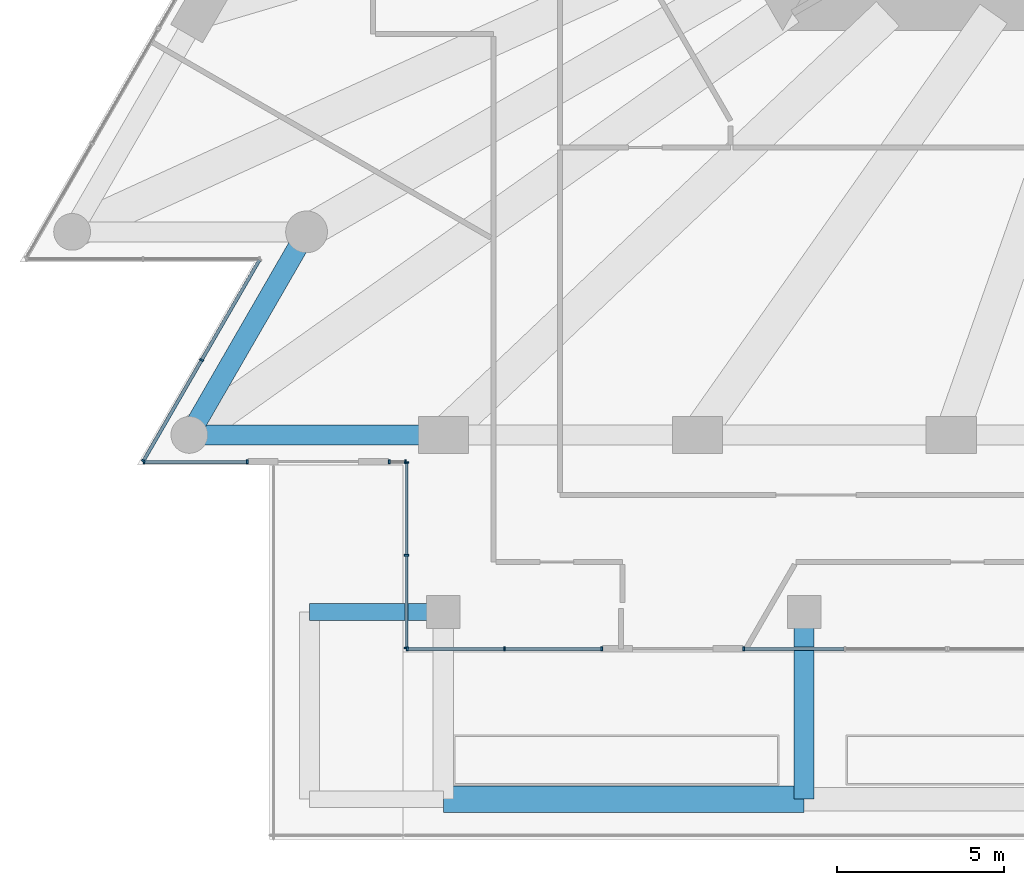
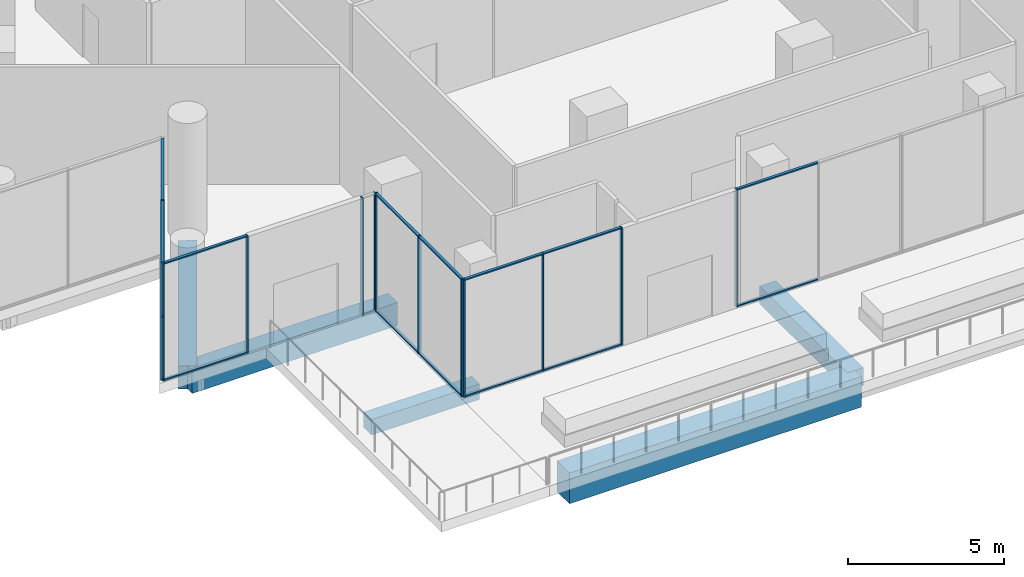
# One storey, part 2 of 32: 29 members, 5 beams, 6 elements without a shape of their own.
"""IFC4 building model written with IfcOpenShell, lengths in metres."""

from ifc_helpers import new_model, si_unit, direction, frame, origin, origin_2d, place, context, subcontext, project, spatial, rectangle, extrude, material, layer, layer_set, material_profile, profile_set, type_object, element, aggregate, save


model = new_model("IFC4")

# Units and contexts
model_context = context("Model", 3, precision=1e-05, world=origin(), true_north=direction((0.0, 1.0)))
body_context = subcontext(model_context, "Body", "Model", "MODEL_VIEW")
ifc_project = project(units=[si_unit("LENGTHUNIT", "METRE"), si_unit("AREAUNIT", "SQUARE_METRE"), si_unit("VOLUMEUNIT", "CUBIC_METRE"), si_unit("PLANEANGLEUNIT", "RADIAN"), si_unit("MASSUNIT", "GRAM", prefix="KILO")], contexts=[model_context])

# Site, building, storey
site_placement = place(None, origin())
site = spatial("IfcSite", under=ifc_project, at=site_placement, CompositionType="ELEMENT")
building_placement = place(site_placement, origin())
building = spatial("IfcBuilding", under=site, at=building_placement, Name="Triada Interchange Tower", CompositionType="ELEMENT")
storey_placement = place(building_placement, frame((0.0, 0.0, 25.300048828125)))
storey = spatial("IfcBuildingStorey", under=building, at=storey_placement, Name="L04", CompositionType="ELEMENT", Elevation=25.300048828125)

# Curtain wall, members
ifc_material_1 = material(Name="Aluminium framed glazing", Category="aluminium")
ifc_layer = layer(ifc_material_1, 0.199951171875)
ifc_layer_set = layer_set([ifc_layer], Name="Curtain wall Winter garden glazing")
curtain_wall_type = type_object("IfcCurtainWallType", Name="Curtain wall Winter garden glazing", PredefinedType="NOTDEFINED", material=ifc_layer_set)
curtain_wall_1_placement = place(storey_placement, origin())
curtain_wall_1 = element("IfcCurtainWall", 1, at=curtain_wall_1_placement, inside=storey, type_object=curtain_wall_type, Name="Winter garden glazing CW001 L04", PredefinedType="NOTDEFINED")
ifc_material_2 = material(Name="Aluminium", Category="aluminium")
ifc_material_profile_1 = material_profile(ifc_material_2, rectangle(XDim=0.1201171875, YDim=0.050048828125, at=origin_2d()), Name="Aluminium mullion")
ifc_profile_set_1 = profile_set([ifc_material_profile_1], Name="Aluminium")
member_type_1 = type_object("IfcMemberType", Name="Mullion Winter garden glazing 120x50", PredefinedType="MULLION", material=ifc_profile_set_1)
member_1_placement = place(storey_placement, frame((-23.875, -28.0, 0.0), z_axis=(0.0, 0.0, 1.0), x_axis=(0.0, 1.0, 0.0)))
member_1 = element("IfcMember", 2, at=member_1_placement, type_object=member_type_1, Name="CW001 mullion 1", PredefinedType="MULLION", context=body_context, shape_type="SweptSolid", body=[
    extrude(rectangle(XDim=0.1201171875, YDim=0.050048828125, at=origin_2d()), origin(), (0.0, 0.0, 1.0), 4.599853515625),
])
member_2_placement = place(storey_placement, frame((-20.966552734375, -28.0, 0.0), z_axis=(0.0, 0.0, 1.0), x_axis=(0.0, 1.0, 0.0)))
member_2 = element("IfcMember", 3, at=member_2_placement, type_object=member_type_1, Name="CW001 mullion 2", PredefinedType="MULLION", context=body_context, shape_type="SweptSolid", body=[
    extrude(rectangle(XDim=0.1201171875, YDim=0.050048828125, at=origin_2d()), origin(), (0.0, 0.0, 1.0), 4.599853515625),
])
member_3_placement = place(storey_placement, frame((-18.05810546875, -28.0, 0.0), z_axis=(0.0, 0.0, 1.0), x_axis=(0.0, 1.0, 0.0)))
member_3 = element("IfcMember", 4, at=member_3_placement, type_object=member_type_1, Name="CW001 mullion 3", PredefinedType="MULLION", context=body_context, shape_type="SweptSolid", body=[
    extrude(rectangle(XDim=0.1201171875, YDim=0.050048828125, at=origin_2d()), origin(), (0.0, 0.0, 1.0), 4.599853515625),
])

# Curtain wall, member
curtain_wall_2_placement = place(storey_placement, origin())
curtain_wall_2 = element("IfcCurtainWall", 5, at=curtain_wall_2_placement, inside=storey, type_object=curtain_wall_type, Name="Winter garden glazing CW002 L04", PredefinedType="NOTDEFINED")
member_4_placement = place(storey_placement, frame((-13.80810546875, -28.0, 0.0), z_axis=(0.0, 0.0, 1.0), x_axis=(0.0, 1.0, 0.0)))
member_4 = element("IfcMember", 6, at=member_4_placement, type_object=member_type_1, Name="CW002 mullion 1", PredefinedType="MULLION", context=body_context, shape_type="SweptSolid", body=[
    extrude(rectangle(XDim=0.1201171875, YDim=0.050048828125, at=origin_2d()), origin(), (0.0, 0.0, 1.0), 4.599853515625),
])

# Curtain wall, members
curtain_wall_3_placement = place(storey_placement, origin())
curtain_wall_3 = element("IfcCurtainWall", 7, at=curtain_wall_3_placement, inside=storey, type_object=curtain_wall_type, Name="Winter garden glazing CW031 L04", PredefinedType="NOTDEFINED")
member_5_placement = place(storey_placement, frame((-30.029541015625, -19.362548828125, 0.0), z_axis=(0.0, 0.0, 1.0), x_axis=(0.866050272896, -0.499956922962, 0.0)))
member_5 = element("IfcMember", 8, at=member_5_placement, type_object=member_type_1, Name="CW031 mullion 2", PredefinedType="MULLION", context=body_context, shape_type="SweptSolid", body=[
    extrude(rectangle(XDim=0.1201171875, YDim=0.050048828125, at=origin_2d()), origin(), (0.0, 0.0, 1.0), 4.599853515625),
])
member_6_placement = place(storey_placement, frame((-31.7705078125, -22.37841796875, 0.0), z_axis=(0.0, 0.0, 1.0), x_axis=(0.866050272896, -0.499956922962, 0.0)))
member_6 = element("IfcMember", 9, at=member_6_placement, type_object=member_type_1, Name="CW031 mullion 3", PredefinedType="MULLION", context=body_context, shape_type="SweptSolid", body=[
    extrude(rectangle(XDim=0.1201171875, YDim=0.050048828125, at=origin_2d()), origin(), (0.0, 0.0, 1.0), 4.599853515625),
])

curtain_wall_4_placement = place(storey_placement, origin())
curtain_wall_4 = element("IfcCurtainWall", 10, at=curtain_wall_4_placement, inside=storey, type_object=curtain_wall_type, Name="Winter garden glazing CW032 L04", PredefinedType="NOTDEFINED")
member_7_placement = place(storey_placement, frame((-31.758056640625, -22.39990234375, 0.0), z_axis=(0.0, 0.0, 1.0), x_axis=(0.0, 1.0, 0.0)))
member_7 = element("IfcMember", 11, at=member_7_placement, type_object=member_type_1, Name="CW032 mullion 1", PredefinedType="MULLION", context=body_context, shape_type="SweptSolid", body=[
    extrude(rectangle(XDim=0.1201171875, YDim=0.050048828125, at=origin_2d()), origin(), (0.0, 0.0, 1.0), 4.599853515625),
])
member_8_placement = place(storey_placement, frame((-28.666015625, -22.39990234375, 0.0), z_axis=(0.0, 0.0, 1.0), x_axis=(0.0, 1.0, 0.0)))
member_8 = element("IfcMember", 12, at=member_8_placement, type_object=member_type_1, Name="CW032 mullion 2", PredefinedType="MULLION", context=body_context, shape_type="SweptSolid", body=[
    extrude(rectangle(XDim=0.1201171875, YDim=0.050048828125, at=origin_2d()), origin(), (0.0, 0.0, 1.0), 4.599853515625),
])

curtain_wall_5_placement = place(storey_placement, origin())
curtain_wall_5 = element("IfcCurtainWall", 13, at=curtain_wall_5_placement, inside=storey, type_object=curtain_wall_type, Name="Winter garden glazing CW033 L04", PredefinedType="NOTDEFINED")
member_9_placement = place(storey_placement, frame((-24.416015625, -22.39990234375, 0.0), z_axis=(0.0, 0.0, 1.0), x_axis=(0.0, 1.0, 0.0)))
member_9 = element("IfcMember", 14, at=member_9_placement, type_object=member_type_1, Name="CW033 mullion 1", PredefinedType="MULLION", context=body_context, shape_type="SweptSolid", body=[
    extrude(rectangle(XDim=0.1201171875, YDim=0.050048828125, at=origin_2d()), origin(), (0.0, 0.0, 1.0), 4.599853515625),
])
member_10_placement = place(storey_placement, frame((-23.925048828125, -22.39990234375, 0.0), z_axis=(0.0, 0.0, 1.0), x_axis=(0.0, 1.0, 0.0)))
member_10 = element("IfcMember", 15, at=member_10_placement, type_object=member_type_1, Name="CW033 mullion 2", PredefinedType="MULLION", context=body_context, shape_type="SweptSolid", body=[
    extrude(rectangle(XDim=0.1201171875, YDim=0.050048828125, at=origin_2d()), origin(), (0.0, 0.0, 1.0), 4.599853515625),
])
aggregate(curtain_wall_5, [member_9, member_10])

curtain_wall_6_placement = place(storey_placement, origin())
curtain_wall_6 = element("IfcCurtainWall", 16, at=curtain_wall_6_placement, inside=storey, type_object=curtain_wall_type, Name="Winter garden glazing CW034 L04", PredefinedType="NOTDEFINED")
member_11_placement = place(storey_placement, frame((-23.89990234375, -22.425048828125, 0.0), z_axis=(0.0, 0.0, 1.0), x_axis=(1.0, 0.0, 0.0)))
member_11 = element("IfcMember", 17, at=member_11_placement, type_object=member_type_1, Name="CW034 mullion 1", PredefinedType="MULLION", context=body_context, shape_type="SweptSolid", body=[
    extrude(rectangle(XDim=0.1201171875, YDim=0.050048828125, at=origin_2d()), origin(), (0.0, 0.0, 1.0), 4.599853515625),
])
member_12_placement = place(storey_placement, frame((-23.89990234375, -25.199951171875, 0.0), z_axis=(0.0, 0.0, 1.0), x_axis=(1.0, 0.0, 0.0)))
member_12 = element("IfcMember", 18, at=member_12_placement, type_object=member_type_1, Name="CW034 mullion 2", PredefinedType="MULLION", context=body_context, shape_type="SweptSolid", body=[
    extrude(rectangle(XDim=0.1201171875, YDim=0.050048828125, at=origin_2d()), origin(), (0.0, 0.0, 1.0), 4.599853515625),
])
member_13_placement = place(storey_placement, frame((-23.89990234375, -27.97509765625, 0.0), z_axis=(0.0, 0.0, 1.0), x_axis=(1.0, 0.0, 0.0)))
member_13 = element("IfcMember", 19, at=member_13_placement, type_object=member_type_1, Name="CW034 mullion 3", PredefinedType="MULLION", context=body_context, shape_type="SweptSolid", body=[
    extrude(rectangle(XDim=0.1201171875, YDim=0.050048828125, at=origin_2d()), origin(), (0.0, 0.0, 1.0), 4.599853515625),
])

# Beams
ifc_material_3 = material(Name="Concrete C50/60", Category="concrete")
ifc_material_profile_2 = material_profile(ifc_material_3, rectangle(XDim=0.60009765625, YDim=0.89990234375, at=origin_2d()), Name="RC 600x900")
ifc_profile_set_2 = profile_set([ifc_material_profile_2], Name="Concrete C50/60")
beam_type_1 = type_object("IfcBeamType", Name="Spandrel beam P RC 600x900", PredefinedType="BEAM", material=ifc_profile_set_2)
beam_1_placement = place(storey_placement, frame((-26.889892578125, -15.52490234375, -0.85009765625), z_axis=(-0.499953429515, -0.866052289597, 0.0), x_axis=(0.866052289597, -0.499953429515, 0.0)))
element("IfcBeam", 20, at=beam_1_placement, inside=storey, type_object=beam_type_1, Name="Spandrel beam EP10 L04", PredefinedType="BEAM", context=body_context, shape_type="SweptSolid", body=[
    extrude(rectangle(XDim=0.60009765625, YDim=0.89990234375, at=origin_2d()), origin(), (0.0, 0.0, 1.0), 7.014892578125),
])
beam_2_placement = place(storey_placement, frame((-30.39697265625, -21.60009765625, -0.85009765625), z_axis=(1.0, 0.0, 0.0), x_axis=(0.0, 1.0, 0.0)))
element("IfcBeam", 21, at=beam_2_placement, inside=storey, type_object=beam_type_1, Name="Spandrel beam EP11 L04", PredefinedType="BEAM", context=body_context, shape_type="SweptSolid", body=[
    extrude(rectangle(XDim=0.60009765625, YDim=0.89990234375, at=origin_2d()), origin(), (0.0, 0.0, 1.0), 7.598876953125),
])
ifc_material_4 = material(Name="Concrete C40/50", Category="concrete")
ifc_material_profile_3 = material_profile(ifc_material_4, rectangle(XDim=0.5, YDim=0.60009765625, at=origin_2d()), Name="RC 500x600")
ifc_profile_set_3 = profile_set([ifc_material_profile_3], Name="Concrete C40/50")
beam_type_2 = type_object("IfcBeamType", Name="Terrace beam RC 500x600", PredefinedType="BEAM", material=ifc_profile_set_3)
beam_3_placement = place(storey_placement, frame((-26.800048828125, -26.89990234375, -0.699951171875), z_axis=(1.0, 0.0, 0.0), x_axis=(0.0, 1.0, 0.0)))
element("IfcBeam", 22, at=beam_3_placement, inside=storey, type_object=beam_type_2, Name="Terrace beam TE02 L04", PredefinedType="BEAM", context=body_context, shape_type="SweptSolid", body=[
    extrude(rectangle(XDim=0.5, YDim=0.60009765625, at=origin_2d()), origin(), (0.0, 0.0, 1.0), 4.0),
])
ifc_material_profile_4 = material_profile(ifc_material_4, rectangle(XDim=0.60009765625, YDim=0.699951171875, at=origin_2d()), Name="RC 600x700")
ifc_profile_set_4 = profile_set([ifc_material_profile_4], Name="Concrete C40/50")
beam_type_3 = type_object("IfcBeamType", Name="Terrace beam RC 600x700", PredefinedType="BEAM", material=ifc_profile_set_4)
beam_4_placement = place(storey_placement, frame((-12.0, -32.5, -0.75), z_axis=(0.0, 1.0, 0.0), x_axis=(-1.0, 0.0, 0.0)))
element("IfcBeam", 23, at=beam_4_placement, inside=storey, type_object=beam_type_3, Name="Terrace beam TE08 L04", PredefinedType="BEAM", context=body_context, shape_type="SweptSolid", body=[
    extrude(rectangle(XDim=0.60009765625, YDim=0.699951171875, at=origin_2d()), origin(), (0.0, 0.0, 1.0), 5.60009765625),
])
ifc_material_profile_5 = material_profile(ifc_material_4, rectangle(XDim=0.800048828125, YDim=1.199951171875, at=origin_2d()), Name="RC 800x1200")
ifc_profile_set_5 = profile_set([ifc_material_profile_5], Name="Concrete C40/50")
beam_type_4 = type_object("IfcBeamType", Name="Terrace beam RC 800x1200", PredefinedType="BEAM", material=ifc_profile_set_5)
beam_5_placement = place(storey_placement, frame((-22.800048828125, -32.5, -1.0), z_axis=(1.0, 0.0, 0.0), x_axis=(0.0, 1.0, 0.0)))
element("IfcBeam", 24, at=beam_5_placement, inside=storey, type_object=beam_type_4, Name="Terrace beam TE13 L04", PredefinedType="BEAM", context=body_context, shape_type="SweptSolid", body=[
    extrude(rectangle(XDim=0.800048828125, YDim=1.199951171875, at=origin_2d()), origin(), (0.0, 0.0, 1.0), 10.800048828125),
])

# Member
ifc_material_profile_6 = material_profile(ifc_material_2, rectangle(XDim=0.10009765625, YDim=0.050048828125, at=origin_2d()), Name="Aluminium transom")
ifc_profile_set_6 = profile_set([ifc_material_profile_6], Name="Aluminium")
member_type_2 = type_object("IfcMemberType", Name="Transom Winter garden glazing 100x50", PredefinedType="USERDEFINED", material=ifc_profile_set_6)
member_14_placement = place(storey_placement, frame((-23.85009765625, -28.0, 0.02490234375), z_axis=(1.0, 0.0, 0.0), x_axis=(0.0, 1.0, 0.0)))
member_14 = element("IfcMember", 25, at=member_14_placement, type_object=member_type_2, Name="CW001 transom 1.1", ObjectType="TRANSOM", PredefinedType="USERDEFINED", context=body_context, shape_type="SweptSolid", body=[
    extrude(rectangle(XDim=0.10009765625, YDim=0.050048828125, at=origin_2d()), origin(), (0.0, 0.0, 1.0), 2.858642578125),
])

member_15_placement = place(storey_placement, frame((-23.85009765625, -28.0, 4.574951171875), z_axis=(1.0, 0.0, 0.0), x_axis=(0.0, 1.0, 0.0)))
member_15 = element("IfcMember", 26, at=member_15_placement, type_object=member_type_2, Name="CW001 transom 1.2", ObjectType="TRANSOM", PredefinedType="USERDEFINED", context=body_context, shape_type="SweptSolid", body=[
    extrude(rectangle(XDim=0.10009765625, YDim=0.050048828125, at=origin_2d()), origin(), (0.0, 0.0, 1.0), 2.858642578125),
])

member_16_placement = place(storey_placement, frame((-20.94140625, -28.0, 0.02490234375), z_axis=(1.0, 0.0, 0.0), x_axis=(0.0, 1.0, 0.0)))
member_16 = element("IfcMember", 27, at=member_16_placement, type_object=member_type_2, Name="CW001 transom 2.1", ObjectType="TRANSOM", PredefinedType="USERDEFINED", context=body_context, shape_type="SweptSolid", body=[
    extrude(rectangle(XDim=0.10009765625, YDim=0.050048828125, at=origin_2d()), origin(), (0.0, 0.0, 1.0), 2.8583984375),
])

member_17_placement = place(storey_placement, frame((-20.94140625, -28.0, 4.574951171875), z_axis=(1.0, 0.0, 0.0), x_axis=(0.0, 1.0, 0.0)))
member_17 = element("IfcMember", 28, at=member_17_placement, type_object=member_type_2, Name="CW001 transom 2.2", ObjectType="TRANSOM", PredefinedType="USERDEFINED", context=body_context, shape_type="SweptSolid", body=[
    extrude(rectangle(XDim=0.10009765625, YDim=0.050048828125, at=origin_2d()), origin(), (0.0, 0.0, 1.0), 2.8583984375),
])

aggregate(curtain_wall_1, [member_1, member_2, member_3, member_14, member_15, member_16, member_17])

member_18_placement = place(storey_placement, frame((-13.782958984375, -28.0, 0.02490234375), z_axis=(1.0, 0.0, 0.0), x_axis=(0.0, 1.0, 0.0)))
member_18 = element("IfcMember", 29, at=member_18_placement, type_object=member_type_2, Name="CW002 transom 1.1", ObjectType="TRANSOM", PredefinedType="USERDEFINED", context=body_context, shape_type="SweptSolid", body=[
    extrude(rectangle(XDim=0.10009765625, YDim=0.050048828125, at=origin_2d()), origin(), (0.0, 0.0, 1.0), 2.97802734375),
])

member_19_placement = place(storey_placement, frame((-13.782958984375, -28.0, 4.574951171875), z_axis=(1.0, 0.0, 0.0), x_axis=(0.0, 1.0, 0.0)))
member_19 = element("IfcMember", 30, at=member_19_placement, type_object=member_type_2, Name="CW002 transom 1.2", ObjectType="TRANSOM", PredefinedType="USERDEFINED", context=body_context, shape_type="SweptSolid", body=[
    extrude(rectangle(XDim=0.10009765625, YDim=0.050048828125, at=origin_2d()), origin(), (0.0, 0.0, 1.0), 2.97802734375),
])

aggregate(curtain_wall_2, [member_4, member_18, member_19])

member_20_placement = place(storey_placement, frame((-28.301025390625, -16.368408203125, 0.02490234375), z_axis=(-0.499987221389, -0.866032781393, 0.0), x_axis=(0.866032781393, -0.499987221389, 0.0)))
member_20 = element("IfcMember", 31, at=member_20_placement, type_object=member_type_2, Name="CW031 transom 1.1", ObjectType="TRANSOM", PredefinedType="USERDEFINED", context=body_context, shape_type="SweptSolid", body=[
    extrude(rectangle(XDim=0.10009765625, YDim=0.050048828125, at=origin_2d()), origin(), (0.0, 0.0, 1.0), 3.43212890625),
])

member_21_placement = place(storey_placement, frame((-28.301025390625, -16.368408203125, 4.574951171875), z_axis=(-0.499987221389, -0.866032781393, 0.0), x_axis=(0.866032781393, -0.499987221389, 0.0)))
member_21 = element("IfcMember", 32, at=member_21_placement, type_object=member_type_2, Name="CW031 transom 1.2", ObjectType="TRANSOM", PredefinedType="USERDEFINED", context=body_context, shape_type="SweptSolid", body=[
    extrude(rectangle(XDim=0.10009765625, YDim=0.050048828125, at=origin_2d()), origin(), (0.0, 0.0, 1.0), 3.43212890625),
])

member_22_placement = place(storey_placement, frame((-30.0419921875, -19.384033203125, 0.02490234375), z_axis=(-0.499956422411, -0.866050561855, 0.0), x_axis=(0.866050561855, -0.499956422411, 0.0)))
member_22 = element("IfcMember", 33, at=member_22_placement, type_object=member_type_2, Name="CW031 transom 2.1", ObjectType="TRANSOM", PredefinedType="USERDEFINED", context=body_context, shape_type="SweptSolid", body=[
    extrude(rectangle(XDim=0.10009765625, YDim=0.050048828125, at=origin_2d()), origin(), (0.0, 0.0, 1.0), 3.432373046875),
])

member_23_placement = place(storey_placement, frame((-30.0419921875, -19.384033203125, 4.574951171875), z_axis=(-0.499956422411, -0.866050561855, 0.0), x_axis=(0.866050561855, -0.499956422411, 0.0)))
member_23 = element("IfcMember", 34, at=member_23_placement, type_object=member_type_2, Name="CW031 transom 2.2", ObjectType="TRANSOM", PredefinedType="USERDEFINED", context=body_context, shape_type="SweptSolid", body=[
    extrude(rectangle(XDim=0.10009765625, YDim=0.050048828125, at=origin_2d()), origin(), (0.0, 0.0, 1.0), 3.432373046875),
])

aggregate(curtain_wall_3, [member_5, member_6, member_20, member_21, member_22, member_23])

member_24_placement = place(storey_placement, frame((-31.73291015625, -22.39990234375, 0.02490234375), z_axis=(1.0, 0.0, 0.0), x_axis=(0.0, 1.0, 0.0)))
member_24 = element("IfcMember", 35, at=member_24_placement, type_object=member_type_2, Name="CW032 transom 1.1", ObjectType="TRANSOM", PredefinedType="USERDEFINED", context=body_context, shape_type="SweptSolid", body=[
    extrude(rectangle(XDim=0.10009765625, YDim=0.050048828125, at=origin_2d()), origin(), (0.0, 0.0, 1.0), 3.0419921875),
])

member_25_placement = place(storey_placement, frame((-31.73291015625, -22.39990234375, 4.574951171875), z_axis=(1.0, 0.0, 0.0), x_axis=(0.0, 1.0, 0.0)))
member_25 = element("IfcMember", 36, at=member_25_placement, type_object=member_type_2, Name="CW032 transom 1.2", ObjectType="TRANSOM", PredefinedType="USERDEFINED", context=body_context, shape_type="SweptSolid", body=[
    extrude(rectangle(XDim=0.10009765625, YDim=0.050048828125, at=origin_2d()), origin(), (0.0, 0.0, 1.0), 3.0419921875),
])

aggregate(curtain_wall_4, [member_7, member_8, member_24, member_25])

member_26_placement = place(storey_placement, frame((-23.89990234375, -22.449951171875, 0.02490234375), z_axis=(0.0, -1.0, 0.0), x_axis=(1.0, 0.0, 0.0)))
member_26 = element("IfcMember", 37, at=member_26_placement, type_object=member_type_2, Name="CW034 transom 1.1", ObjectType="TRANSOM", PredefinedType="USERDEFINED", context=body_context, shape_type="SweptSolid", body=[
    extrude(rectangle(XDim=0.10009765625, YDim=0.050048828125, at=origin_2d()), origin(), (0.0, 0.0, 1.0), 2.72509765625),
])

member_27_placement = place(storey_placement, frame((-23.89990234375, -22.449951171875, 4.574951171875), z_axis=(0.0, -1.0, 0.0), x_axis=(1.0, 0.0, 0.0)))
member_27 = element("IfcMember", 38, at=member_27_placement, type_object=member_type_2, Name="CW034 transom 1.2", ObjectType="TRANSOM", PredefinedType="USERDEFINED", context=body_context, shape_type="SweptSolid", body=[
    extrude(rectangle(XDim=0.10009765625, YDim=0.050048828125, at=origin_2d()), origin(), (0.0, 0.0, 1.0), 2.72509765625),
])

member_28_placement = place(storey_placement, frame((-23.89990234375, -25.22509765625, 0.02490234375), z_axis=(0.0, -1.0, 0.0), x_axis=(1.0, 0.0, 0.0)))
member_28 = element("IfcMember", 39, at=member_28_placement, type_object=member_type_2, Name="CW034 transom 2.1", ObjectType="TRANSOM", PredefinedType="USERDEFINED", context=body_context, shape_type="SweptSolid", body=[
    extrude(rectangle(XDim=0.10009765625, YDim=0.050048828125, at=origin_2d()), origin(), (0.0, 0.0, 1.0), 2.724853515625),
])

member_29_placement = place(storey_placement, frame((-23.89990234375, -25.22509765625, 4.574951171875), z_axis=(0.0, -1.0, 0.0), x_axis=(1.0, 0.0, 0.0)))
member_29 = element("IfcMember", 40, at=member_29_placement, type_object=member_type_2, Name="CW034 transom 2.2", ObjectType="TRANSOM", PredefinedType="USERDEFINED", context=body_context, shape_type="SweptSolid", body=[
    extrude(rectangle(XDim=0.10009765625, YDim=0.050048828125, at=origin_2d()), origin(), (0.0, 0.0, 1.0), 2.724853515625),
])

aggregate(curtain_wall_6, [member_11, member_12, member_13, member_26, member_27, member_28, member_29])

save(model, "model.ifc")
